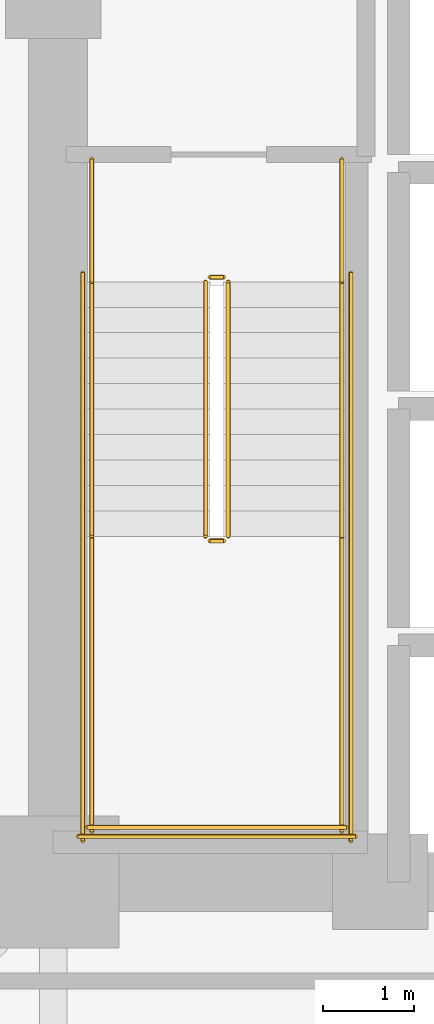
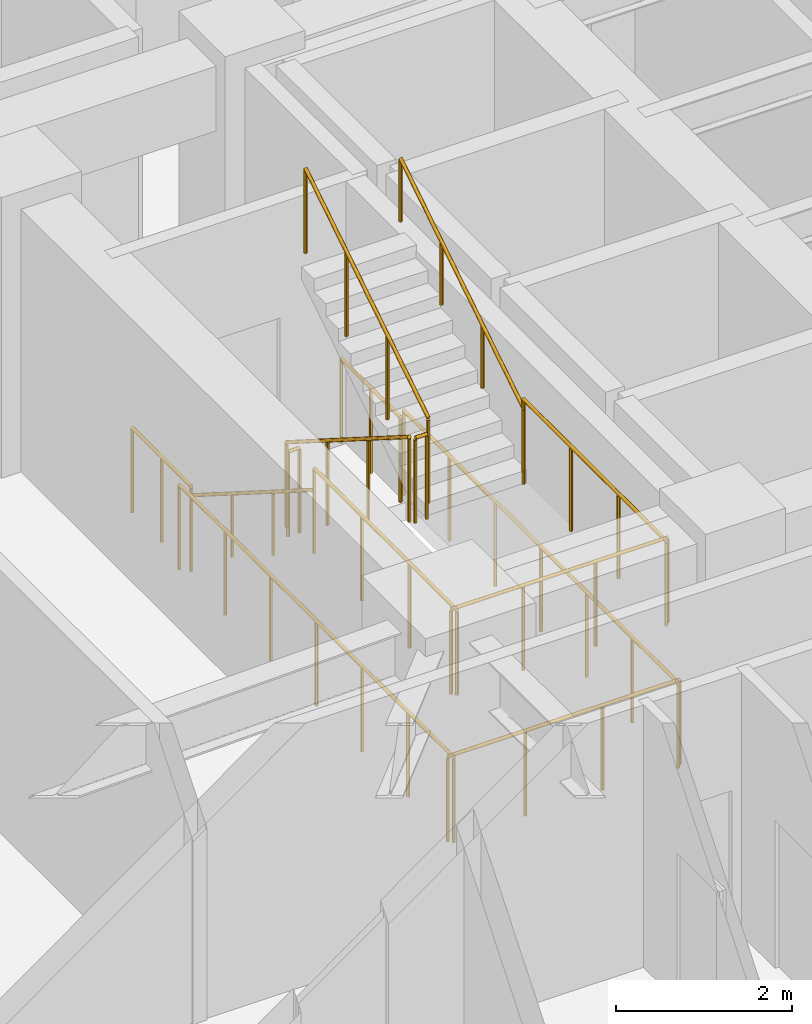
# One storey, part 10 of 11: 14 railings.
"""IFC4 building model written with IfcOpenShell, lengths in metres."""

from ifc_helpers import new_model, si_unit, direction, frame, origin, origin_2d, place, context, subcontext, project, spatial, circle, extrude, material, type_object, element, save


model = new_model("IFC4")

# Units and contexts
model_context = context("Model", 3, precision=1e-05, world=origin(), true_north=direction((0.0, 1.0)))
body_context = subcontext(model_context, "Body", "Model", "MODEL_VIEW")
ifc_project = project(units=[si_unit("LENGTHUNIT", "METRE"), si_unit("AREAUNIT", "SQUARE_METRE"), si_unit("VOLUMEUNIT", "CUBIC_METRE"), si_unit("PLANEANGLEUNIT", "RADIAN"), si_unit("MASSUNIT", "GRAM", prefix="KILO")], contexts=[model_context])

# Site, building, storey
site_placement = place(None, origin())
site = spatial("IfcSite", under=ifc_project, at=site_placement, CompositionType="ELEMENT")
building_placement = place(site_placement, origin())
building = spatial("IfcBuilding", under=site, at=building_placement, Name="Voryun Gate Residences", CompositionType="ELEMENT")
storey_placement = place(building_placement, frame((0.0, 0.0, 68.89990234375)))
storey = spatial("IfcBuildingStorey", under=building, at=storey_placement, Name="L16", CompositionType="ELEMENT", Elevation=68.89990234375)

# Railings
ifc_material_1 = material(Name="Painted steel", Category="steel")
railing_type_1 = type_object("IfcRailingType", Name="RAIL_STAIR_GUARD_1200", PredefinedType="GUARDRAIL", material=ifc_material_1)
railing_1_placement = place(storey_placement, frame((-17.52490234375, -0.800048828125, 0.177490234375)))
element("IfcRailing", 1, at=railing_1_placement, inside=storey, type_object=railing_type_1, Name="L16 ST-W1 stair guard 1", PredefinedType="GUARDRAIL", context=body_context, shape_type="SweptSolid", body=[
    extrude(circle(Radius=0.02392578125, at=origin_2d()), frame((0.0, 0.0, 1.17578125), z_axis=(0.0, -0.844908973607, 0.534910110503), x_axis=(1.0, 0.0, 0.0)), (0.0, 0.0, 1.0), 3.31396484375),
    extrude(circle(Radius=0.02099609375, at=origin_2d()), origin(), (0.0, 0.0, 1.0), 1.15185546875),
    extrude(circle(Radius=0.02099609375, at=origin_2d()), frame((0.0, -0.933349609375, 0.5908203125)), (0.0, 0.0, 1.0), 1.15185546875),
    extrude(circle(Radius=0.02099609375, at=origin_2d()), frame((0.0, -1.86669921875, 1.181884765625)), (0.0, 0.0, 1.0), 1.15185546875),
    extrude(circle(Radius=0.02099609375, at=origin_2d()), frame((0.0, -2.800048828125, 1.772705078125)), (0.0, 0.0, 1.0), 1.15185546875),
])
railing_2_placement = place(storey_placement, frame((-17.47509765625, -3.64990234375, 1.9501953125)))
element("IfcRailing", 2, at=railing_2_placement, inside=storey, type_object=railing_type_1, Name="L16 ST-W1 stair guard 2", PredefinedType="GUARDRAIL", context=body_context, shape_type="SweptSolid", body=[
    extrude(circle(Radius=0.02392578125, at=origin_2d()), frame((0.0, 0.0, 1.17578125), z_axis=(1.0, 0.0, 0.0), x_axis=(0.0, 1.0, 0.0)), (0.0, 0.0, 1.0), 0.150146484375),
    extrude(circle(Radius=0.02099609375, at=origin_2d()), origin(), (0.0, 0.0, 1.0), 1.15185546875),
    extrude(circle(Radius=0.02099609375, at=origin_2d()), frame((0.150146484375, 0.0, 0.0)), (0.0, 0.0, 1.0), 1.15185546875),
])
for number, where, name in (
    (3, (-18.77490234375, -3.60009765625, 1.9501953125), "L16 ST-W1 stair guard 3"),
    (4, (-16.02490234375, -3.60009765625, 1.9501953125), "L16 ST-W1 stair guard 4"),
):
    element("IfcRailing", number, at=place(storey_placement, frame(where)), inside=storey, type_object=railing_type_1, Name=name, PredefinedType="GUARDRAIL", context=body_context, shape_type="SweptSolid", body=[
        extrude(circle(Radius=0.02392578125, at=origin_2d()), frame((0.0, 0.0, 1.17578125), z_axis=(0.0, -1.0, 0.0), x_axis=(1.0, 0.0, 0.0)), (0.0, 0.0, 1.0), 3.25),
        extrude(circle(Radius=0.02099609375, at=origin_2d()), origin(), (0.0, 0.0, 1.0), 1.15185546875),
        extrude(circle(Radius=0.02099609375, at=origin_2d()), frame((0.0, -1.083251953125, 0.0)), (0.0, 0.0, 1.0), 1.15185546875),
        extrude(circle(Radius=0.02099609375, at=origin_2d()), frame((0.0, -2.166748046875, 0.0)), (0.0, 0.0, 1.0), 1.15185546875),
        extrude(circle(Radius=0.02099609375, at=origin_2d()), frame((0.0, -3.25, 0.0)), (0.0, 0.0, 1.0), 1.15185546875),
    ])
railing_3_placement = place(storey_placement, frame((-18.824951171875, -6.800048828125, 1.9501953125)))
element("IfcRailing", 5, at=railing_3_placement, inside=storey, type_object=railing_type_1, Name="L16 ST-W1 stair guard 5", PredefinedType="GUARDRAIL", context=body_context, shape_type="SweptSolid", body=[
    extrude(circle(Radius=0.02392578125, at=origin_2d()), frame((0.0, 0.0, 1.17578125), z_axis=(1.0, 0.0, 0.0), x_axis=(0.0, 1.0, 0.0)), (0.0, 0.0, 1.0), 2.849853515625),
    extrude(circle(Radius=0.02099609375, at=origin_2d()), origin(), (0.0, 0.0, 1.0), 1.15185546875),
    extrude(circle(Radius=0.02099609375, at=origin_2d()), frame((0.949951171875, 0.0, 0.0)), (0.0, 0.0, 1.0), 1.15185546875),
    extrude(circle(Radius=0.02099609375, at=origin_2d()), frame((1.89990234375, 0.0, 0.0)), (0.0, 0.0, 1.0), 1.15185546875),
    extrude(circle(Radius=0.02099609375, at=origin_2d()), frame((2.849853515625, 0.0, 0.0)), (0.0, 0.0, 1.0), 1.15185546875),
])
railing_4_placement = place(storey_placement, frame((-17.27490234375, -3.60009765625, 2.12744140625)))
element("IfcRailing", 6, at=railing_4_placement, inside=storey, type_object=railing_type_1, Name="L16 ST-W1 stair guard 6", PredefinedType="GUARDRAIL", context=body_context, shape_type="SweptSolid", body=[
    extrude(circle(Radius=0.02392578125, at=origin_2d()), frame((0.0, 0.0, 1.17578125), z_axis=(0.0, 0.844908973607, 0.534910110503), x_axis=(-1.0, 0.0, 0.0)), (0.0, 0.0, 1.0), 3.31396484375),
    extrude(circle(Radius=0.02099609375, at=origin_2d()), origin(), (0.0, 0.0, 1.0), 1.15185546875),
    extrude(circle(Radius=0.02099609375, at=origin_2d()), frame((0.0, 0.933349609375, 0.5908203125)), (0.0, 0.0, 1.0), 1.15185546875),
    extrude(circle(Radius=0.02099609375, at=origin_2d()), frame((0.0, 1.86669921875, 1.181884765625)), (0.0, 0.0, 1.0), 1.15185546875),
    extrude(circle(Radius=0.02099609375, at=origin_2d()), frame((0.0, 2.800048828125, 1.772705078125)), (0.0, 0.0, 1.0), 1.15185546875),
])
railing_5_placement = place(storey_placement, frame((-17.47509765625, -0.75, 0.0)))
element("IfcRailing", 7, at=railing_5_placement, inside=storey, type_object=railing_type_1, Name="L16 ST-W1 stair guard 7", PredefinedType="GUARDRAIL", context=body_context, shape_type="SweptSolid", body=[
    extrude(circle(Radius=0.02392578125, at=origin_2d()), frame((0.0, 0.0, 1.17578125), z_axis=(1.0, 0.0, 0.0), x_axis=(0.0, 1.0, 0.0)), (0.0, 0.0, 1.0), 0.150146484375),
    extrude(circle(Radius=0.02099609375, at=origin_2d()), origin(), (0.0, 0.0, 1.0), 1.15185546875),
    extrude(circle(Radius=0.02099609375, at=origin_2d()), frame((0.150146484375, 0.0, 0.0)), (0.0, 0.0, 1.0), 1.15185546875),
])
for number, where, name in (
    (8, (-18.77490234375, 0.550048828125, 0.0), "L16 ST-W1 stair guard 8"),
    (9, (-16.02490234375, 0.550048828125, 0.0), "L16 ST-W1 stair guard 9"),
):
    element("IfcRailing", number, at=place(storey_placement, frame(where)), inside=storey, type_object=railing_type_1, Name=name, PredefinedType="GUARDRAIL", context=body_context, shape_type="SweptSolid", body=[
        extrude(circle(Radius=0.02392578125, at=origin_2d()), frame((0.0, 0.0, 1.17578125), z_axis=(0.0, -1.0, 0.0), x_axis=(1.0, 0.0, 0.0)), (0.0, 0.0, 1.0), 1.35009765625),
        extrude(circle(Radius=0.02099609375, at=origin_2d()), origin(), (0.0, 0.0, 1.0), 1.15185546875),
        extrude(circle(Radius=0.02099609375, at=origin_2d()), frame((0.0, -0.675048828125, 0.0)), (0.0, 0.0, 1.0), 1.15185546875),
        extrude(circle(Radius=0.02099609375, at=origin_2d()), frame((0.0, -1.35009765625, 0.0)), (0.0, 0.0, 1.0), 1.15185546875),
    ])
for number, where, name in (
    (10, (-18.875, -0.699951171875, 0.0), "L16 ST-W1 stair guard 10"),
    (11, (-15.925048828125, -0.699951171875, 0.0), "L16 ST-W1 stair guard 11"),
):
    element("IfcRailing", number, at=place(storey_placement, frame(where)), inside=storey, type_object=railing_type_1, Name=name, PredefinedType="GUARDRAIL", context=body_context, shape_type="SweptSolid", body=[
        extrude(circle(Radius=0.02392578125, at=origin_2d()), frame((0.0, 0.0, 1.17578125), z_axis=(0.0, -1.0, 0.0), x_axis=(1.0, 0.0, 0.0)), (0.0, 0.0, 1.0), 6.25),
        extrude(circle(Radius=0.02099609375, at=origin_2d()), origin(), (0.0, 0.0, 1.0), 1.15185546875),
        extrude(circle(Radius=0.02099609375, at=origin_2d()), frame((0.0, -1.041748046875, 0.0)), (0.0, 0.0, 1.0), 1.15185546875),
        extrude(circle(Radius=0.02099609375, at=origin_2d()), frame((0.0, -2.083251953125, 0.0)), (0.0, 0.0, 1.0), 1.15185546875),
        extrude(circle(Radius=0.02099609375, at=origin_2d()), frame((0.0, -3.125, 0.0)), (0.0, 0.0, 1.0), 1.15185546875),
        extrude(circle(Radius=0.02099609375, at=origin_2d()), frame((0.0, -4.166748046875, 0.0)), (0.0, 0.0, 1.0), 1.15185546875),
        extrude(circle(Radius=0.02099609375, at=origin_2d()), frame((0.0, -5.208251953125, 0.0)), (0.0, 0.0, 1.0), 1.15185546875),
        extrude(circle(Radius=0.02099609375, at=origin_2d()), frame((0.0, -6.25, 0.0)), (0.0, 0.0, 1.0), 1.15185546875),
    ])
railing_6_placement = place(storey_placement, frame((-18.925048828125, -6.89990234375, 0.0)))
element("IfcRailing", 12, at=railing_6_placement, inside=storey, type_object=railing_type_1, Name="L16 ST-W1 stair guard 12", PredefinedType="GUARDRAIL", context=body_context, shape_type="SweptSolid", body=[
    extrude(circle(Radius=0.02392578125, at=origin_2d()), frame((0.0, 0.0, 1.17578125), z_axis=(1.0, 0.0, 0.0), x_axis=(0.0, 1.0, 0.0)), (0.0, 0.0, 1.0), 3.050048828125),
    extrude(circle(Radius=0.02099609375, at=origin_2d()), origin(), (0.0, 0.0, 1.0), 1.15185546875),
    extrude(circle(Radius=0.02099609375, at=origin_2d()), frame((1.0166015625, 0.0, 0.0)), (0.0, 0.0, 1.0), 1.15185546875),
    extrude(circle(Radius=0.02099609375, at=origin_2d()), frame((2.033447265625, 0.0, 0.0)), (0.0, 0.0, 1.0), 1.15185546875),
    extrude(circle(Radius=0.02099609375, at=origin_2d()), frame((3.050048828125, 0.0, 0.0)), (0.0, 0.0, 1.0), 1.15185546875),
])
ifc_material_2 = material(Name="Painted steel", Category="steel")
railing_type_2 = type_object("IfcRailingType", Name="RAIL_STAIR_HANDRAIL_900", PredefinedType="HANDRAIL", material=ifc_material_2)
railing_7_placement = place(storey_placement, frame((-18.77490234375, -0.800048828125, 0.177490234375)))
element("IfcRailing", 13, at=railing_7_placement, inside=storey, type_object=railing_type_2, Name="L16 ST-W1 stair handrail 1", PredefinedType="HANDRAIL", context=body_context, shape_type="SweptSolid", body=[
    extrude(circle(Radius=0.02392578125, at=origin_2d()), frame((0.0, 0.0, 0.8759765625), z_axis=(0.0, -0.844908973607, 0.534910110503), x_axis=(1.0, 0.0, 0.0)), (0.0, 0.0, 1.0), 3.31396484375),
    extrude(circle(Radius=0.02099609375, at=origin_2d()), origin(), (0.0, 0.0, 1.0), 0.851806640625),
    extrude(circle(Radius=0.02099609375, at=origin_2d()), frame((0.0, -0.933349609375, 0.5908203125)), (0.0, 0.0, 1.0), 0.851806640625),
    extrude(circle(Radius=0.02099609375, at=origin_2d()), frame((0.0, -1.86669921875, 1.181884765625)), (0.0, 0.0, 1.0), 0.851806640625),
    extrude(circle(Radius=0.02099609375, at=origin_2d()), frame((0.0, -2.800048828125, 1.772705078125)), (0.0, 0.0, 1.0), 0.851806640625),
])
railing_8_placement = place(storey_placement, frame((-16.02490234375, -3.60009765625, 2.12744140625)))
element("IfcRailing", 14, at=railing_8_placement, inside=storey, type_object=railing_type_2, Name="L16 ST-W1 stair handrail 2", PredefinedType="HANDRAIL", context=body_context, shape_type="SweptSolid", body=[
    extrude(circle(Radius=0.02392578125, at=origin_2d()), frame((0.0, 0.0, 0.8759765625), z_axis=(0.0, 0.844908973607, 0.534910110503), x_axis=(-1.0, 0.0, 0.0)), (0.0, 0.0, 1.0), 3.31396484375),
    extrude(circle(Radius=0.02099609375, at=origin_2d()), origin(), (0.0, 0.0, 1.0), 0.851806640625),
    extrude(circle(Radius=0.02099609375, at=origin_2d()), frame((0.0, 0.933349609375, 0.5908203125)), (0.0, 0.0, 1.0), 0.851806640625),
    extrude(circle(Radius=0.02099609375, at=origin_2d()), frame((0.0, 1.86669921875, 1.181884765625)), (0.0, 0.0, 1.0), 0.851806640625),
    extrude(circle(Radius=0.02099609375, at=origin_2d()), frame((0.0, 2.800048828125, 1.772705078125)), (0.0, 0.0, 1.0), 0.851806640625),
])

save(model, "model.ifc")
